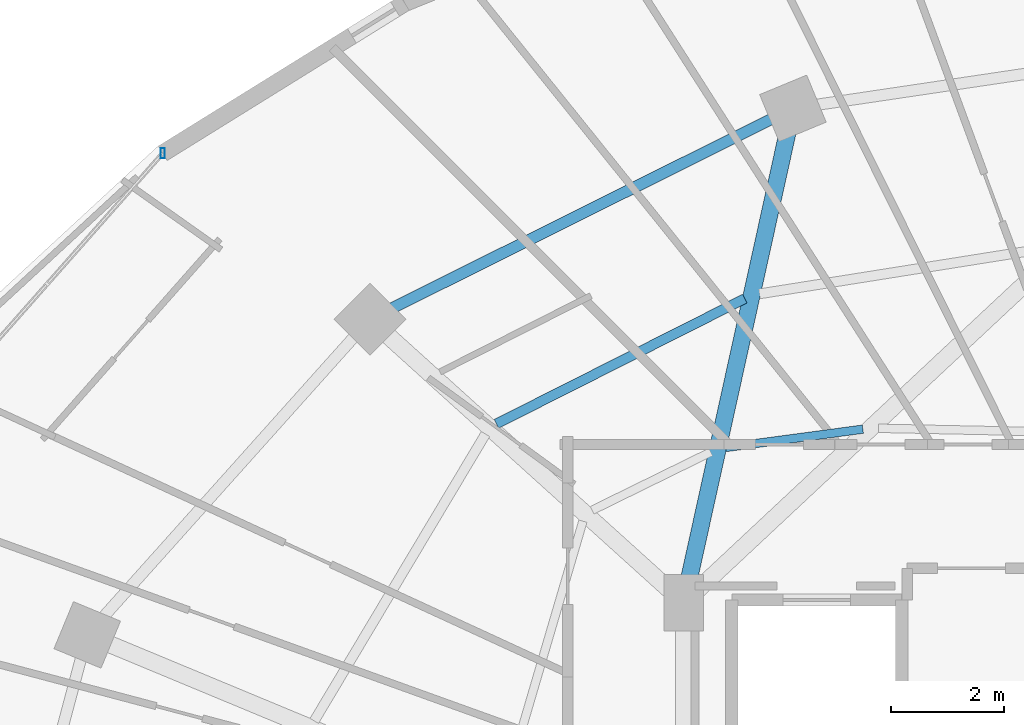
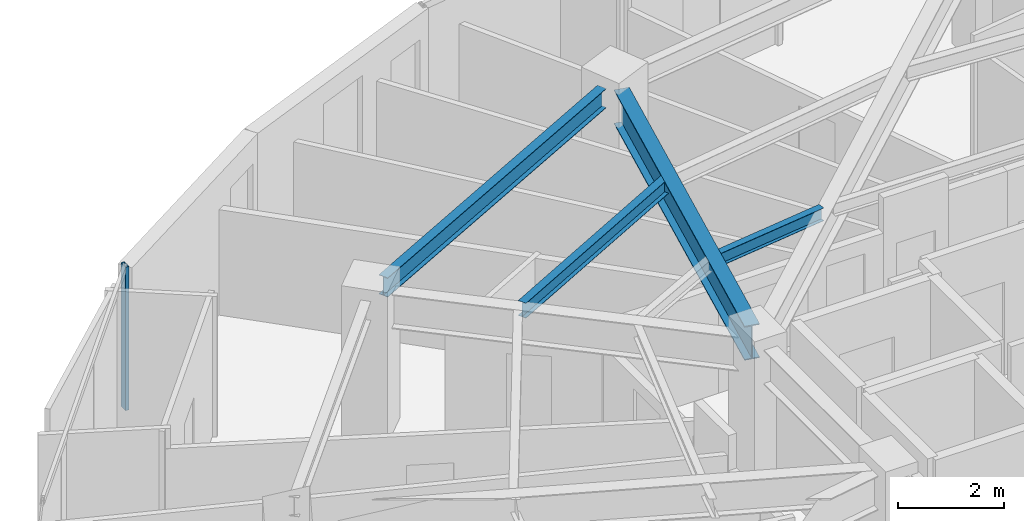
# One storey, part 17 of 34: 4 beams, 1 member, 1 element without a shape of its own.
"""IFC4 building model written with IfcOpenShell, lengths in metres."""

import ifcopenshell
import ifcopenshell.guid

model = None  # the IFC model being written
_history = None  # IfcOwnerHistory: only IFC2X3 demands one
_inside = {}  # id of a spatial element -> (the spatial element, [elements in it])
_under = {}  # id of a project, library or spatial element -> (it, [spatial elements below it])
_declared = {}  # id of a project -> (the project, [libraries it declares])
_typed = {}  # id of a type object -> (the type object, [elements of that type])
_made_of = {}  # id of a material, layer set ... -> (it, [elements and type objects made of it])


def new_model(schema):
    """Start an empty IFC model of exactly this schema.

    Asked for "IFC4X3", IfcOpenShell would pick the latest addendum, in which some entities
    have other attributes; the version numbers below select the first issue.
    IFC2X3 requires an IfcOwnerHistory on every rooted entity: one is made here for all.
    """
    global model, _history
    if schema == "IFC4X3":
        model = ifcopenshell.file(schema_version=(4, 3, 0, 0))
    else:
        model = ifcopenshell.file(schema=schema)
    _inside.clear()
    _under.clear()
    _declared.clear()
    _typed.clear()
    _made_of.clear()
    _history = None
    if model.schema == "IFC2X3":
        org = make("IfcOrganization", Name="unknown")
        user = make(
            "IfcPersonAndOrganization",
            ThePerson=make("IfcPerson", FamilyName="unknown"),
            TheOrganization=org,
        )
        app = make(
            "IfcApplication",
            ApplicationDeveloper=org,
            Version="unknown",
            ApplicationFullName="unknown",
            ApplicationIdentifier="unknown",
        )
        _history = make(
            "IfcOwnerHistory",
            OwningUser=user,
            OwningApplication=app,
            ChangeAction="ADDED",
            CreationDate=0,
        )
    return model


def make(cls, **values):
    """One entity of the class cls with the attributes given. An attribute that is None is left unset."""
    return model.create_entity(
        cls, **{name: value for name, value in values.items() if value is not None}
    )


def rooted(cls, **values):
    """An entity with a GlobalId (a new one), such as an element, a storey or a relation."""
    return make(cls, GlobalId=ifcopenshell.guid.new(), OwnerHistory=_history, **values)


def si_unit(unit_type, name, prefix=None):
    """IfcSIUnit, for example si_unit("LENGTHUNIT", "METRE", prefix="MILLI")."""
    return make("IfcSIUnit", UnitType=unit_type, Prefix=prefix, Name=name)


def assignment(units):
    """IfcUnitAssignment: the units of a project."""
    return None if units is None else make("IfcUnitAssignment", Units=units)


def point(xyz):
    """IfcCartesianPoint."""
    return None if xyz is None else make("IfcCartesianPoint", Coordinates=xyz)


def direction(xyz):
    """IfcDirection."""
    return None if xyz is None else make("IfcDirection", DirectionRatios=xyz)


def frame(location, z_axis=None, x_axis=None):
    """IfcAxis2Placement3D, a coordinate frame: its origin and axes. An axis left out is left unset."""
    return make(
        "IfcAxis2Placement3D",
        Location=point(location),
        Axis=direction(z_axis),
        RefDirection=direction(x_axis),
    )


def frame_2d(location, x_axis=None):
    """IfcAxis2Placement2D, a coordinate frame in the plane: its origin and x axis."""
    return make(
        "IfcAxis2Placement2D", Location=point(location), RefDirection=direction(x_axis)
    )


def origin():
    """The frame at (0, 0, 0) with its axes left unset."""
    return frame((0.0, 0.0, 0.0))


def origin_2d():
    """The frame at (0, 0) in the plane with its x axis left unset."""
    return frame_2d((0.0, 0.0))


def place(relative_to, where):
    """IfcLocalPlacement: puts the frame where relative to a parent placement (None: the world)."""
    return make(
        "IfcLocalPlacement", PlacementRelTo=relative_to, RelativePlacement=where
    )


def context(
    kind, dimensions, precision=None, world=None, true_north=None, identifier=None
):
    """IfcGeometricRepresentationContext, for example the 3D "Model" context."""
    return make(
        "IfcGeometricRepresentationContext",
        ContextIdentifier=identifier,
        ContextType=kind,
        CoordinateSpaceDimension=dimensions,
        Precision=precision,
        WorldCoordinateSystem=world,
        TrueNorth=true_north,
    )


def subcontext(parent, identifier, kind, view, scale=None):
    """IfcGeometricRepresentationSubContext, for example "Body" below "Model"."""
    return make(
        "IfcGeometricRepresentationSubContext",
        ContextIdentifier=identifier,
        ContextType=kind,
        ParentContext=parent,
        TargetScale=scale,
        TargetView=view,
    )


def project(units=None, contexts=None):
    """IfcProject with its units and contexts."""
    return rooted(
        "IfcProject",
        Name="project",
        RepresentationContexts=contexts,
        UnitsInContext=assignment(units),
    )


def spatial(cls, under=None, at=None, **own):
    """A site, building, storey or space (cls), placed at a placement, below another one or the project."""
    s = rooted(cls, ObjectPlacement=at, **own)
    if under is not None:
        _under.setdefault(under.id(), (under, []))[1].append(s)
    return s


def profile(cls, at=None, kind="AREA", **sizes):
    """A parametric profile (cls). Its sizes go by their IFC names, for example OverallWidth=200.0."""
    return make(cls, ProfileType=kind, Position=at, **sizes)


def hollow_rectangle(**sizes):
    """IfcRectangleHollowProfileDef."""
    return profile("IfcRectangleHollowProfileDef", **sizes)


def i_section(**sizes):
    """IfcIShapeProfileDef."""
    return profile("IfcIShapeProfileDef", **sizes)


def extrude(swept, where, along, depth):
    """IfcExtrudedAreaSolid: the profile swept, set in the frame where, extruded along a direction by depth."""
    return make(
        "IfcExtrudedAreaSolid",
        SweptArea=swept,
        Position=where,
        ExtrudedDirection=direction(along),
        Depth=depth,
    )


def shape(context_of_items, identifier, shape_type, items):
    """IfcShapeRepresentation: the items that make up one representation, for example the "Body"."""
    return make(
        "IfcShapeRepresentation",
        ContextOfItems=context_of_items,
        RepresentationIdentifier=identifier,
        RepresentationType=shape_type,
        Items=items,
    )


def material(Name=None, Category=None):
    """IfcMaterial."""
    return make("IfcMaterial", Name=Name, Category=Category)


def material_profile(
    of_material, cross_section, Name=None, Category=None, Priority=None
):
    """IfcMaterialProfile: a cross section and its material."""
    return make(
        "IfcMaterialProfile",
        Name=Name,
        Material=of_material,
        Profile=cross_section,
        Priority=Priority,
        Category=Category,
    )


def profile_set(profiles, Name=None, composite=None):
    """IfcMaterialProfileSet."""
    return make(
        "IfcMaterialProfileSet",
        Name=Name,
        MaterialProfiles=profiles,
        CompositeProfile=composite,
    )


def made_of(thing, what):
    """Note that an element or type object is made of a material, layer set ...; save() writes the relation."""
    if what is not None:
        _made_of.setdefault(what.id(), (what, []))[1].append(thing)
    return thing


def type_object(cls, material=None, **own):
    """A type object (cls), such as IfcWallType, which elements share."""
    return made_of(rooted(cls, **own), material)


def element(
    cls,
    number,
    at=None,
    inside=None,
    cuts=None,
    type_object=None,
    material=None,
    context=None,
    identifier="Body",
    shape_type=None,
    held_by="IfcProductDefinitionShape",
    body=None,
    shapes=None,
    **own,
):
    """One element of the class cls, such as IfcWall. Its Tag is "e" and its number.

    at: its placement. inside: the storey or other place that contains it. cuts: it is an
    opening in that element (IfcRelVoidsElement). A single representation is given by context,
    identifier, shape_type and body (its items); several are given by shapes. held_by: the class
    of the entity that holds the representations. save() writes the other relations.
    """
    e = rooted(cls, Tag="e%d" % number, ObjectPlacement=at, **own)
    if body is not None:
        shapes = [shape(context, identifier, shape_type, body)]
    if shapes is not None:
        e.Representation = make(held_by, Representations=shapes)
    if inside is not None:
        _inside.setdefault(inside.id(), (inside, []))[1].append(e)
    if cuts is not None:
        rooted(
            "IfcRelVoidsElement", RelatingBuildingElement=cuts, RelatedOpeningElement=e
        )
    if type_object is not None:
        _typed.setdefault(type_object.id(), (type_object, []))[1].append(e)
    return made_of(e, material)


def aggregate(whole, parts):
    """IfcRelAggregates: a whole, such as a stair, and the parts it consists of."""
    return rooted("IfcRelAggregates", RelatingObject=whole, RelatedObjects=parts)


def save(model, path):
    """Write the relations noted so far, then the file.

    IfcRelAggregates (storeys below a building ...), IfcRelContainedInSpatialStructure (elements
    in a storey), IfcRelDefinesByType, IfcRelAssociatesMaterial and IfcRelDeclares: one each for
    every whole, place, type object, material and project.
    """
    for whole, parts in _under.values():
        aggregate(whole, parts)
    for where, things in _inside.values():
        rooted(
            "IfcRelContainedInSpatialStructure",
            RelatedElements=things,
            RelatingStructure=where,
        )
    for kind, things in _typed.values():
        rooted("IfcRelDefinesByType", RelatedObjects=things, RelatingType=kind)
    for what, things in _made_of.values():
        rooted("IfcRelAssociatesMaterial", RelatedObjects=things, RelatingMaterial=what)
    for by, libraries in _declared.values():
        rooted("IfcRelDeclares", RelatingContext=by, RelatedDefinitions=libraries)
    model.write(path)


model = new_model("IFC4")

# Units and contexts
model_context = context("Model", 3, precision=1e-05, world=origin(), true_north=direction((0.0, 1.0)))
body_context = subcontext(model_context, "Body", "Model", "MODEL_VIEW")
ifc_project = project(units=[si_unit("LENGTHUNIT", "METRE"), si_unit("AREAUNIT", "SQUARE_METRE"), si_unit("VOLUMEUNIT", "CUBIC_METRE"), si_unit("PLANEANGLEUNIT", "RADIAN"), si_unit("MASSUNIT", "GRAM", prefix="KILO")], contexts=[model_context])

# Site, building, storey
site_placement = place(None, origin())
site = spatial("IfcSite", under=ifc_project, at=site_placement, CompositionType="ELEMENT")
building_placement = place(site_placement, origin())
building = spatial("IfcBuilding", under=site, at=building_placement, Name="Vorneva Point Tower", CompositionType="ELEMENT")
storey_placement = place(building_placement, frame((0.0, 0.0, 182.60009765625)))
storey = spatial("IfcBuildingStorey", under=building, at=storey_placement, Name="L49", CompositionType="ELEMENT", Elevation=182.60009765625)

# Beams
ifc_material_1 = material(Name="Steel S355", Category="steel")
ifc_material_profile_1 = material_profile(ifc_material_1, i_section(OverallWidth=0.300048828125, OverallDepth=0.7880859375, WebThickness=0.014404296875, FlangeThickness=0.02197265625, at=origin_2d()), Name="80Sh1")
ifc_profile_set_1 = profile_set([ifc_material_profile_1], Name="Steel S355")
beam_type_1 = type_object("IfcBeamType", Name="BM-GRD-80Sh1", PredefinedType="USERDEFINED", material=ifc_profile_set_1)
beam_1_placement = place(storey_placement, frame((29.084716796875, 41.462890625, 2.845947265625), z_axis=(-0.215522758292, -0.976498817541, 0.0), x_axis=(0.976498817541, -0.215522758292, 0.0)))
element("IfcBeam", 1, at=beam_1_placement, inside=storey, type_object=beam_type_1, Name="L49 Radial Primary Girder 06", ObjectType="GIRDER", PredefinedType="USERDEFINED", context=body_context, shape_type="SweptSolid", body=[
    extrude(i_section(OverallWidth=0.300048828125, OverallDepth=0.7880859375, WebThickness=0.014404296875, FlangeThickness=0.02197265625, at=origin_2d()), origin(), (0.0, 0.0, 1.0), 8.173095703125),
])
ifc_material_profile_2 = material_profile(ifc_material_1, i_section(OverallWidth=0.14892578125, OverallDepth=0.298095703125, WebThickness=0.005615234375, FlangeThickness=0.008056640625, at=origin_2d()), Name="30B1")
ifc_profile_set_2 = profile_set([ifc_material_profile_2], Name="Steel S355")
beam_type_2 = type_object("IfcBeamType", Name="BM-JST-30B1", PredefinedType="JOIST", material=ifc_profile_set_2)
beam_2_placement = place(storey_placement, frame((30.416015625, 36.219482421875, 3.0908203125), z_axis=(-0.991158988789, -0.132679534756, 0.0), x_axis=(0.132679534756, -0.991158988789, 0.0)))
element("IfcBeam", 2, at=beam_2_placement, inside=storey, type_object=beam_type_2, Name="L49 Secondary Floor Beam 2.05", PredefinedType="JOIST", context=body_context, shape_type="SweptSolid", body=[
    extrude(i_section(OverallWidth=0.14892578125, OverallDepth=0.298095703125, WebThickness=0.005615234375, FlangeThickness=0.008056640625, at=origin_2d()), origin(), (0.0, 0.0, 1.0), 2.44921875),
])
ifc_material_profile_3 = material_profile(ifc_material_1, i_section(OverallWidth=0.174072265625, OverallDepth=0.345947265625, WebThickness=0.006103515625, FlangeThickness=0.009033203125, at=origin_2d()), Name="35B1")
ifc_profile_set_3 = profile_set([ifc_material_profile_3], Name="Steel S355")
beam_type_3 = type_object("IfcBeamType", Name="BM-SEC-35B1", PredefinedType="BEAM", material=ifc_profile_set_3)
beam_3_placement = place(storey_placement, frame((28.327392578125, 38.527587890625, 3.06689453125), z_axis=(-0.89285196268, -0.450350277827, 0.0), x_axis=(0.450350277827, -0.89285196268, 0.0)))
element("IfcBeam", 3, at=beam_3_placement, inside=storey, type_object=beam_type_3, Name="L49 Secondary Floor Beam 1.06", PredefinedType="BEAM", context=body_context, shape_type="SweptSolid", body=[
    extrude(i_section(OverallWidth=0.174072265625, OverallDepth=0.345947265625, WebThickness=0.006103515625, FlangeThickness=0.009033203125, at=origin_2d()), origin(), (0.0, 0.0, 1.0), 4.914794921875),
])
ifc_material_profile_4 = material_profile(ifc_material_1, i_section(OverallWidth=0.198974609375, OverallDepth=0.446044921875, WebThickness=0.008056640625, FlangeThickness=0.011962890625, at=origin_2d()), Name="45B1")
ifc_profile_set_4 = profile_set([ifc_material_profile_4], Name="Steel S355")
beam_type_4 = type_object("IfcBeamType", Name="BM-SPN-45B1", PredefinedType="SPANDREL", material=ifc_profile_set_4)
beam_4_placement = place(storey_placement, frame((28.789794921875, 41.696533203125, 3.016845703125), z_axis=(-0.894922371084, -0.446221861559, 0.0), x_axis=(0.446221861559, -0.894922371084, 0.0)))
element("IfcBeam", 4, at=beam_4_placement, inside=storey, type_object=beam_type_4, Name="L49 Perimeter Spandrel Ring Beam 06", PredefinedType="SPANDREL", context=body_context, shape_type="SweptSolid", body=[
    extrude(i_section(OverallWidth=0.198974609375, OverallDepth=0.446044921875, WebThickness=0.008056640625, FlangeThickness=0.011962890625, at=origin_2d()), origin(), (0.0, 0.0, 1.0), 7.48583984375),
])

# Curtain wall, member
ifc_material_2 = material(Name="Pale anodised aluminium", Category="aluminium")
curtain_wall_type = type_object("IfcCurtainWallType", Name="CW-RES-SYS", PredefinedType="NOTDEFINED", material=ifc_material_2)
curtain_wall_placement = place(storey_placement, origin())
curtain_wall = element("IfcCurtainWall", 5, at=curtain_wall_placement, inside=storey, type_object=curtain_wall_type, Name="L49 Unitised Curtain Wall CW-L49-R02", PredefinedType="NOTDEFINED")
ifc_material_profile_5 = material_profile(ifc_material_2, hollow_rectangle(XDim=0.074951171875, YDim=0.179931640625, WallThickness=0.00390625, at=origin_2d()), Name="AL-MUL 180x75x4")
ifc_profile_set_5 = profile_set([ifc_material_profile_5], Name="Pale anodised aluminium")
member_type = type_object("IfcMemberType", Name="CW-MUL-180", PredefinedType="MULLION", material=ifc_profile_set_5)
member_placement = place(storey_placement, frame((18.038330078125, 41.0966796875, -0.0400390625), z_axis=(0.0, 0.0, 1.0), x_axis=(1.0, 0.0, 0.0)))
member = element("IfcMember", 6, at=member_placement, type_object=member_type, Name="CW-L49-R02 Mullion 01", PredefinedType="MULLION", context=body_context, shape_type="SweptSolid", body=[
    extrude(hollow_rectangle(XDim=0.074951171875, YDim=0.179931640625, WallThickness=0.00390625, at=origin_2d()), origin(), (0.0, 0.0, 1.0), 3.31005859375),
])
aggregate(curtain_wall, [member])

save(model, "model.ifc")
